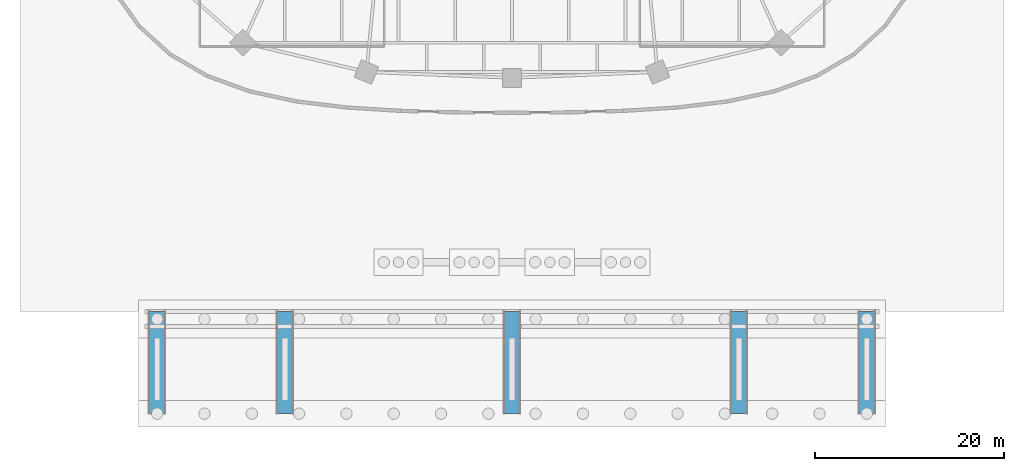
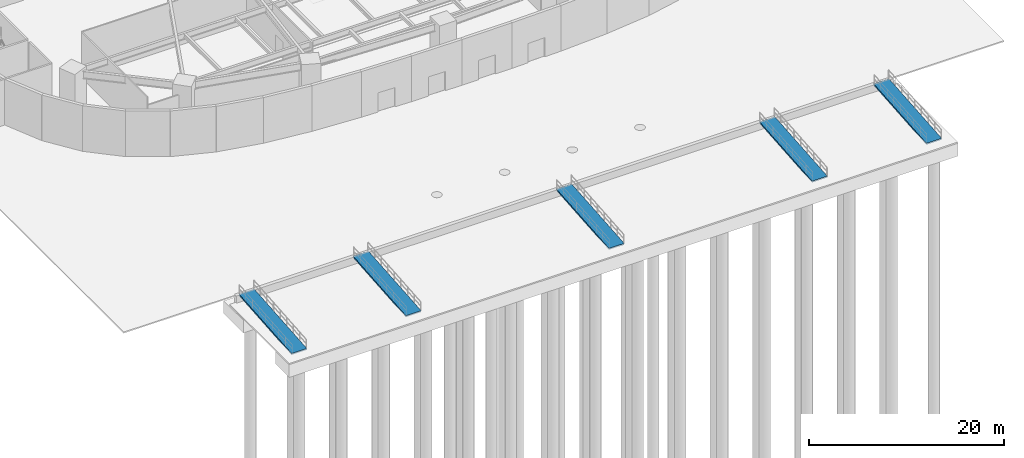
# One storey, part 7 of 14: 5 ramp flights, 5 elements without a shape of their own.
"""IFC4 building model written with IfcOpenShell, lengths in metres."""

from ifc_helpers import new_model, si_unit, direction, frame, origin, place, context, subcontext, project, spatial, polyline, outline, extrude, material, layer, layer_set, type_object, element, aggregate, save


model = new_model("IFC4")

# Units and contexts
model_context = context("Model", 3, precision=1e-05, world=origin(), true_north=direction((0.0, 1.0)))
body_context = subcontext(model_context, "Body", "Model", "MODEL_VIEW")
ifc_project = project(units=[si_unit("LENGTHUNIT", "METRE"), si_unit("AREAUNIT", "SQUARE_METRE"), si_unit("VOLUMEUNIT", "CUBIC_METRE"), si_unit("PLANEANGLEUNIT", "RADIAN"), si_unit("MASSUNIT", "GRAM", prefix="KILO")], contexts=[model_context])

# Site, building, storey
site_placement = place(None, origin())
site = spatial("IfcSite", under=ifc_project, at=site_placement, CompositionType="ELEMENT")
building_placement = place(site_placement, origin())
building = spatial("IfcBuilding", under=site, at=building_placement, Name="Breltana Convention Tower", CompositionType="ELEMENT")
storey_placement = place(building_placement, origin())
storey = spatial("IfcBuildingStorey", under=building, at=storey_placement, Name="L00", CompositionType="ELEMENT", Elevation=0.0)

# Ramp, ramp flight
ifc_material = material(Name="Concrete C40/50", Category="concrete")
ramp_type = type_object("IfcRampType", Name="RM-ACC-1800", PredefinedType="STRAIGHT_RUN_RAMP", material=ifc_material)
ramp_1_placement = place(storey_placement, origin())
ramp_1 = element("IfcRamp", 1, at=ramp_1_placement, inside=storey, type_object=ramp_type, Name="Street-to-plaza step-free accessible ramp 1", PredefinedType="STRAIGHT_RUN_RAMP")
ifc_layer = layer(ifc_material, 0.179931640625, Name="Concrete C40/50")
ifc_layer_set = layer_set([ifc_layer], Name="Concrete C40/50")
ramp_flight_type = type_object("IfcRampFlightType", Name="RMF-ACC-180", PredefinedType="STRAIGHT", material=ifc_layer_set)
ramp_flight_1_placement = place(storey_placement, frame((9.60009765625, -16.800048828125, -0.89990234375), z_axis=(0.0, -0.083036158149, 0.99654653501), x_axis=(1.0, 0.0, 0.0)))
ramp_flight_1 = element("IfcRampFlight", 2, at=ramp_flight_1_placement, type_object=ramp_flight_type, Name="Accessible ramp 1 1:12 flight", PredefinedType="STRAIGHT", context=body_context, shape_type="SweptSolid", body=[
    extrude(outline(polyline([(0.0, 0.0), (1.7998046875, 0.0), (1.7998046875, 10.837475670937902), (0.0, 10.837475670937902), (0.0, 0.0)])), origin(), (0.0, 0.0, -1.0), 0.179931640625),
])
aggregate(ramp_1, [ramp_flight_1])

ramp_2_placement = place(storey_placement, origin())
ramp_2 = element("IfcRamp", 3, at=ramp_2_placement, inside=storey, type_object=ramp_type, Name="Street-to-plaza step-free accessible ramp 2", PredefinedType="STRAIGHT_RUN_RAMP")
ramp_flight_2_placement = place(storey_placement, frame((23.10009765625, -16.800048828125, -0.89990234375), z_axis=(0.0, -0.083036158149, 0.99654653501), x_axis=(1.0, 0.0, 0.0)))
ramp_flight_2 = element("IfcRampFlight", 4, at=ramp_flight_2_placement, type_object=ramp_flight_type, Name="Accessible ramp 2 1:12 flight", PredefinedType="STRAIGHT", context=body_context, shape_type="SweptSolid", body=[
    extrude(outline(polyline([(0.0, 0.0), (1.7998046875, 0.0), (1.7998046875, 10.837475670937902), (0.0, 10.837475670937902), (0.0, 0.0)])), origin(), (0.0, 0.0, -1.0), 0.179931640625),
])
aggregate(ramp_2, [ramp_flight_2])

ramp_3_placement = place(storey_placement, origin())
ramp_3 = element("IfcRamp", 5, at=ramp_3_placement, inside=storey, type_object=ramp_type, Name="Street-to-plaza step-free accessible ramp 3", PredefinedType="STRAIGHT_RUN_RAMP")
ramp_flight_3_placement = place(storey_placement, frame((47.10009765625, -16.800048828125, -0.89990234375), z_axis=(0.0, -0.083036158149, 0.99654653501), x_axis=(1.0, 0.0, 0.0)))
ramp_flight_3 = element("IfcRampFlight", 6, at=ramp_flight_3_placement, type_object=ramp_flight_type, Name="Accessible ramp 3 1:12 flight", PredefinedType="STRAIGHT", context=body_context, shape_type="SweptSolid", body=[
    extrude(outline(polyline([(0.0, 0.0), (1.7998046875, 0.0), (1.7998046875, 10.837475670937902), (0.0, 10.837475670937902), (0.0, 0.0)])), origin(), (0.0, 0.0, -1.0), 0.179931640625),
])
aggregate(ramp_3, [ramp_flight_3])

ramp_4_placement = place(storey_placement, origin())
ramp_4 = element("IfcRamp", 7, at=ramp_4_placement, inside=storey, type_object=ramp_type, Name="Street-to-plaza step-free accessible ramp 4", PredefinedType="STRAIGHT_RUN_RAMP")
ramp_flight_4_placement = place(storey_placement, frame((71.10009765625, -16.800048828125, -0.89990234375), z_axis=(0.0, -0.083036158149, 0.99654653501), x_axis=(1.0, 0.0, 0.0)))
ramp_flight_4 = element("IfcRampFlight", 8, at=ramp_flight_4_placement, type_object=ramp_flight_type, Name="Accessible ramp 4 1:12 flight", PredefinedType="STRAIGHT", context=body_context, shape_type="SweptSolid", body=[
    extrude(outline(polyline([(0.0, 0.0), (1.7998046875, 0.0), (1.7998046875, 10.837475670937902), (0.0, 10.837475670937902), (0.0, 0.0)])), origin(), (0.0, 0.0, -1.0), 0.179931640625),
])
aggregate(ramp_4, [ramp_flight_4])

ramp_5_placement = place(storey_placement, origin())
ramp_5 = element("IfcRamp", 9, at=ramp_5_placement, inside=storey, type_object=ramp_type, Name="Street-to-plaza step-free accessible ramp 5", PredefinedType="STRAIGHT_RUN_RAMP")
ramp_flight_5_placement = place(storey_placement, frame((84.60009765625, -16.800048828125, -0.89990234375), z_axis=(0.0, -0.083036158149, 0.99654653501), x_axis=(1.0, 0.0, 0.0)))
ramp_flight_5 = element("IfcRampFlight", 10, at=ramp_flight_5_placement, type_object=ramp_flight_type, Name="Accessible ramp 5 1:12 flight", PredefinedType="STRAIGHT", context=body_context, shape_type="SweptSolid", body=[
    extrude(outline(polyline([(0.0, 0.0), (1.7998046875, 0.0), (1.7998046875, 10.837475670937902), (0.0, 10.837475670937902), (0.0, 0.0)])), origin(), (0.0, 0.0, -1.0), 0.179931640625),
])
aggregate(ramp_5, [ramp_flight_5])

save(model, "model.ifc")
